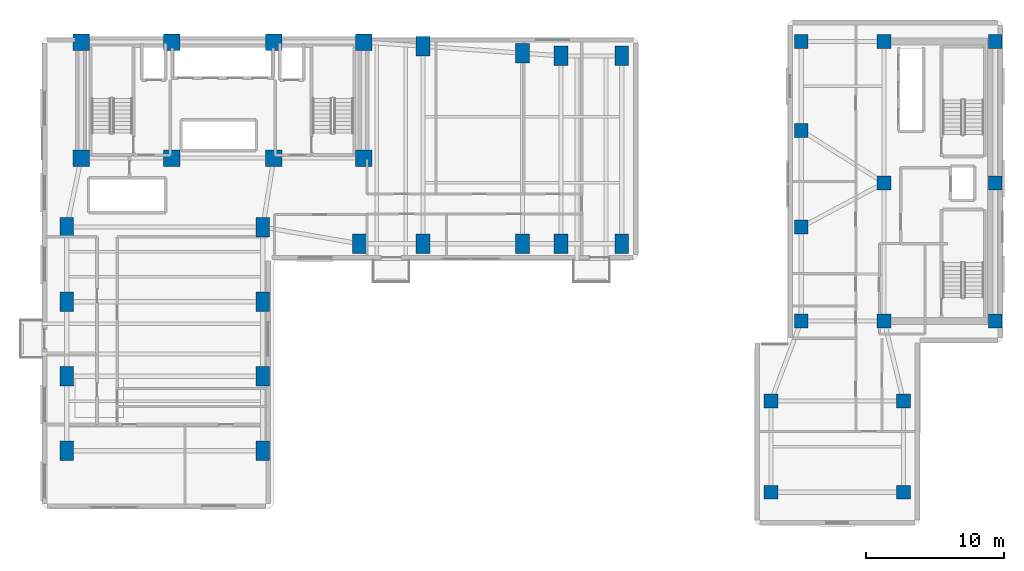
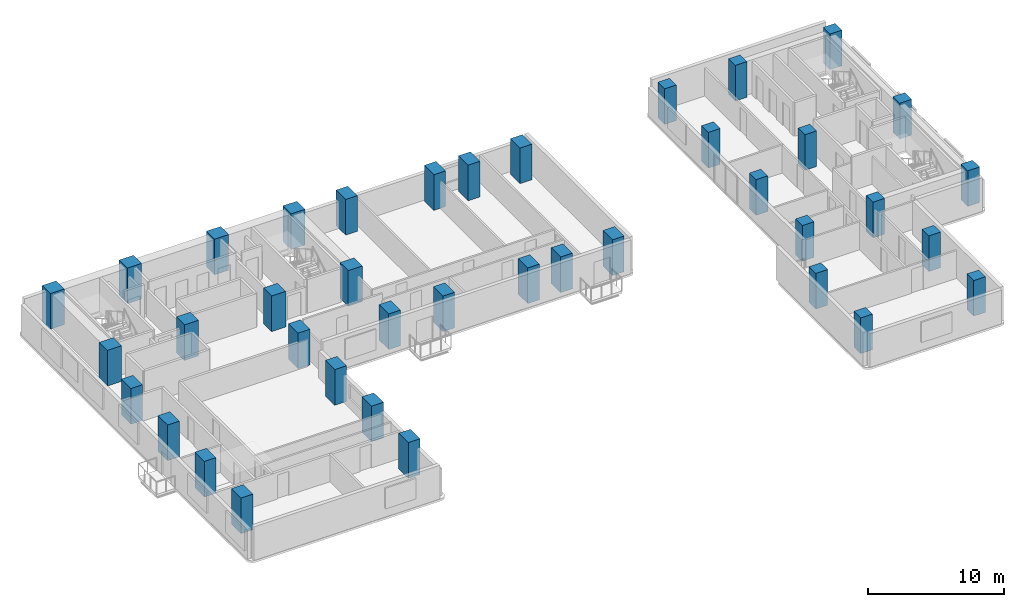
# One storey, part 1 of 17: 39 columns.
"""IFC4 building model written with IfcOpenShell, lengths in metres."""

import ifcopenshell
import ifcopenshell.guid

model = None  # the IFC model being written
_history = None  # IfcOwnerHistory: only IFC2X3 demands one
_inside = {}  # id of a spatial element -> (the spatial element, [elements in it])
_under = {}  # id of a project, library or spatial element -> (it, [spatial elements below it])
_declared = {}  # id of a project -> (the project, [libraries it declares])
_typed = {}  # id of a type object -> (the type object, [elements of that type])
_made_of = {}  # id of a material, layer set ... -> (it, [elements and type objects made of it])


def new_model(schema):
    """Start an empty IFC model of exactly this schema.

    Asked for "IFC4X3", IfcOpenShell would pick the latest addendum, in which some entities
    have other attributes; the version numbers below select the first issue.
    IFC2X3 requires an IfcOwnerHistory on every rooted entity: one is made here for all.
    """
    global model, _history
    if schema == "IFC4X3":
        model = ifcopenshell.file(schema_version=(4, 3, 0, 0))
    else:
        model = ifcopenshell.file(schema=schema)
    _inside.clear()
    _under.clear()
    _declared.clear()
    _typed.clear()
    _made_of.clear()
    _history = None
    if model.schema == "IFC2X3":
        org = make("IfcOrganization", Name="unknown")
        user = make(
            "IfcPersonAndOrganization",
            ThePerson=make("IfcPerson", FamilyName="unknown"),
            TheOrganization=org,
        )
        app = make(
            "IfcApplication",
            ApplicationDeveloper=org,
            Version="unknown",
            ApplicationFullName="unknown",
            ApplicationIdentifier="unknown",
        )
        _history = make(
            "IfcOwnerHistory",
            OwningUser=user,
            OwningApplication=app,
            ChangeAction="ADDED",
            CreationDate=0,
        )
    return model


def make(cls, **values):
    """One entity of the class cls with the attributes given. An attribute that is None is left unset."""
    return model.create_entity(
        cls, **{name: value for name, value in values.items() if value is not None}
    )


def rooted(cls, **values):
    """An entity with a GlobalId (a new one), such as an element, a storey or a relation."""
    return make(cls, GlobalId=ifcopenshell.guid.new(), OwnerHistory=_history, **values)


def si_unit(unit_type, name, prefix=None):
    """IfcSIUnit, for example si_unit("LENGTHUNIT", "METRE", prefix="MILLI")."""
    return make("IfcSIUnit", UnitType=unit_type, Prefix=prefix, Name=name)


def assignment(units):
    """IfcUnitAssignment: the units of a project."""
    return None if units is None else make("IfcUnitAssignment", Units=units)


def point(xyz):
    """IfcCartesianPoint."""
    return None if xyz is None else make("IfcCartesianPoint", Coordinates=xyz)


def direction(xyz):
    """IfcDirection."""
    return None if xyz is None else make("IfcDirection", DirectionRatios=xyz)


def frame(location, z_axis=None, x_axis=None):
    """IfcAxis2Placement3D, a coordinate frame: its origin and axes. An axis left out is left unset."""
    return make(
        "IfcAxis2Placement3D",
        Location=point(location),
        Axis=direction(z_axis),
        RefDirection=direction(x_axis),
    )


def frame_2d(location, x_axis=None):
    """IfcAxis2Placement2D, a coordinate frame in the plane: its origin and x axis."""
    return make(
        "IfcAxis2Placement2D", Location=point(location), RefDirection=direction(x_axis)
    )


def origin():
    """The frame at (0, 0, 0) with its axes left unset."""
    return frame((0.0, 0.0, 0.0))


def origin_2d():
    """The frame at (0, 0) in the plane with its x axis left unset."""
    return frame_2d((0.0, 0.0))


def place(relative_to, where):
    """IfcLocalPlacement: puts the frame where relative to a parent placement (None: the world)."""
    return make(
        "IfcLocalPlacement", PlacementRelTo=relative_to, RelativePlacement=where
    )


def context(
    kind, dimensions, precision=None, world=None, true_north=None, identifier=None
):
    """IfcGeometricRepresentationContext, for example the 3D "Model" context."""
    return make(
        "IfcGeometricRepresentationContext",
        ContextIdentifier=identifier,
        ContextType=kind,
        CoordinateSpaceDimension=dimensions,
        Precision=precision,
        WorldCoordinateSystem=world,
        TrueNorth=true_north,
    )


def subcontext(parent, identifier, kind, view, scale=None):
    """IfcGeometricRepresentationSubContext, for example "Body" below "Model"."""
    return make(
        "IfcGeometricRepresentationSubContext",
        ContextIdentifier=identifier,
        ContextType=kind,
        ParentContext=parent,
        TargetScale=scale,
        TargetView=view,
    )


def project(units=None, contexts=None):
    """IfcProject with its units and contexts."""
    return rooted(
        "IfcProject",
        Name="project",
        RepresentationContexts=contexts,
        UnitsInContext=assignment(units),
    )


def spatial(cls, under=None, at=None, **own):
    """A site, building, storey or space (cls), placed at a placement, below another one or the project."""
    s = rooted(cls, ObjectPlacement=at, **own)
    if under is not None:
        _under.setdefault(under.id(), (under, []))[1].append(s)
    return s


def profile(cls, at=None, kind="AREA", **sizes):
    """A parametric profile (cls). Its sizes go by their IFC names, for example OverallWidth=200.0."""
    return make(cls, ProfileType=kind, Position=at, **sizes)


def rectangle(**sizes):
    """IfcRectangleProfileDef."""
    return profile("IfcRectangleProfileDef", **sizes)


def extrude(swept, where, along, depth):
    """IfcExtrudedAreaSolid: the profile swept, set in the frame where, extruded along a direction by depth."""
    return make(
        "IfcExtrudedAreaSolid",
        SweptArea=swept,
        Position=where,
        ExtrudedDirection=direction(along),
        Depth=depth,
    )


def shape(context_of_items, identifier, shape_type, items):
    """IfcShapeRepresentation: the items that make up one representation, for example the "Body"."""
    return make(
        "IfcShapeRepresentation",
        ContextOfItems=context_of_items,
        RepresentationIdentifier=identifier,
        RepresentationType=shape_type,
        Items=items,
    )


def material(Name=None, Category=None):
    """IfcMaterial."""
    return make("IfcMaterial", Name=Name, Category=Category)


def material_profile(
    of_material, cross_section, Name=None, Category=None, Priority=None
):
    """IfcMaterialProfile: a cross section and its material."""
    return make(
        "IfcMaterialProfile",
        Name=Name,
        Material=of_material,
        Profile=cross_section,
        Priority=Priority,
        Category=Category,
    )


def profile_set(profiles, Name=None, composite=None):
    """IfcMaterialProfileSet."""
    return make(
        "IfcMaterialProfileSet",
        Name=Name,
        MaterialProfiles=profiles,
        CompositeProfile=composite,
    )


def made_of(thing, what):
    """Note that an element or type object is made of a material, layer set ...; save() writes the relation."""
    if what is not None:
        _made_of.setdefault(what.id(), (what, []))[1].append(thing)
    return thing


def type_object(cls, material=None, **own):
    """A type object (cls), such as IfcWallType, which elements share."""
    return made_of(rooted(cls, **own), material)


def element(
    cls,
    number,
    at=None,
    inside=None,
    cuts=None,
    type_object=None,
    material=None,
    context=None,
    identifier="Body",
    shape_type=None,
    held_by="IfcProductDefinitionShape",
    body=None,
    shapes=None,
    **own,
):
    """One element of the class cls, such as IfcWall. Its Tag is "e" and its number.

    at: its placement. inside: the storey or other place that contains it. cuts: it is an
    opening in that element (IfcRelVoidsElement). A single representation is given by context,
    identifier, shape_type and body (its items); several are given by shapes. held_by: the class
    of the entity that holds the representations. save() writes the other relations.
    """
    e = rooted(cls, Tag="e%d" % number, ObjectPlacement=at, **own)
    if body is not None:
        shapes = [shape(context, identifier, shape_type, body)]
    if shapes is not None:
        e.Representation = make(held_by, Representations=shapes)
    if inside is not None:
        _inside.setdefault(inside.id(), (inside, []))[1].append(e)
    if cuts is not None:
        rooted(
            "IfcRelVoidsElement", RelatingBuildingElement=cuts, RelatedOpeningElement=e
        )
    if type_object is not None:
        _typed.setdefault(type_object.id(), (type_object, []))[1].append(e)
    return made_of(e, material)


def aggregate(whole, parts):
    """IfcRelAggregates: a whole, such as a stair, and the parts it consists of."""
    return rooted("IfcRelAggregates", RelatingObject=whole, RelatedObjects=parts)


def save(model, path):
    """Write the relations noted so far, then the file.

    IfcRelAggregates (storeys below a building ...), IfcRelContainedInSpatialStructure (elements
    in a storey), IfcRelDefinesByType, IfcRelAssociatesMaterial and IfcRelDeclares: one each for
    every whole, place, type object, material and project.
    """
    for whole, parts in _under.values():
        aggregate(whole, parts)
    for where, things in _inside.values():
        rooted(
            "IfcRelContainedInSpatialStructure",
            RelatedElements=things,
            RelatingStructure=where,
        )
    for kind, things in _typed.values():
        rooted("IfcRelDefinesByType", RelatedObjects=things, RelatingType=kind)
    for what, things in _made_of.values():
        rooted("IfcRelAssociatesMaterial", RelatedObjects=things, RelatingMaterial=what)
    for by, libraries in _declared.values():
        rooted("IfcRelDeclares", RelatingContext=by, RelatedDefinitions=libraries)
    model.write(path)


model = new_model("IFC4")

# Units and contexts
model_context = context("Model", 3, precision=1e-05, world=origin(), true_north=direction((0.0, 1.0)))
body_context = subcontext(model_context, "Body", "Model", "MODEL_VIEW")
ifc_project = project(units=[si_unit("LENGTHUNIT", "METRE"), si_unit("AREAUNIT", "SQUARE_METRE"), si_unit("VOLUMEUNIT", "CUBIC_METRE"), si_unit("PLANEANGLEUNIT", "RADIAN"), si_unit("MASSUNIT", "GRAM", prefix="KILO")], contexts=[model_context])

# Site, building, storey
site_placement = place(None, origin())
site = spatial("IfcSite", under=ifc_project, at=site_placement, CompositionType="ELEMENT")
building_placement = place(site_placement, origin())
building = spatial("IfcBuilding", under=site, at=building_placement, Name="Kuzgunbayir Cultural Tower", CompositionType="ELEMENT")
storey_placement = place(building_placement, frame((0.0, 0.0, 46.800048828125)))
storey = spatial("IfcBuildingStorey", under=building, at=storey_placement, Name="L12", CompositionType="ELEMENT", Elevation=46.800048828125)

# Columns
ifc_material = material(Name="Concrete C60/75", Category="concrete")
ifc_material_profile_1 = material_profile(ifc_material, rectangle(XDim=1.199951171875, YDim=1.199951171875, at=origin_2d()), Name="RC 1200x1200")
ifc_profile_set_1 = profile_set([ifc_material_profile_1], Name="Concrete C60/75")
column_type_1 = type_object("IfcColumnType", Name="COL-CORE-1200", PredefinedType="COLUMN", material=ifc_profile_set_1)
for number, where, z_axis, x_axis, name in (
    (1, (6.449951171875, 33.800048828125, 0.0), (0.0, 0.0, 1.0), (1.0, 0.0, 0.0), "L12 T1 Core Boundary Column CC1-1"),
    (2, (13.0, 33.800048828125, 0.0), (0.0, 0.0, 1.0), (1.0, 0.0, 0.0), "L12 T1 Core Boundary Column CC1-2"),
    (3, (20.39990234375, 33.800048828125, 0.0), (0.0, 0.0, 1.0), (1.0, 0.0, 0.0), "L12 T1 Core Boundary Column CC1-3"),
    (4, (26.89990234375, 33.800048828125, 0.0), (0.0, 0.0, 1.0), (1.0, 0.0, 0.0), "L12 T1 Core Boundary Column CC1-4"),
    (5, (6.449951171875, 42.199951171875, 0.0), (0.0, 0.0, 1.0), (1.0, 0.0, 0.0), "L12 T1 Core Boundary Column CC1-5"),
    (6, (13.0, 42.199951171875, 0.0), (0.0, 0.0, 1.0), (1.0, 0.0, 0.0), "L12 T1 Core Boundary Column CC1-6"),
    (7, (20.39990234375, 42.199951171875, 0.0), (0.0, 0.0, 1.0), (1.0, 0.0, 0.0), "L12 T1 Core Boundary Column CC1-7"),
    (8, (26.89990234375, 42.199951171875, 0.0), (0.0, 0.0, 1.0), (1.0, 0.0, 0.0), "L12 T1 Core Boundary Column CC1-8"),
):
    element("IfcColumn", number, at=place(storey_placement, frame(where, z_axis=z_axis, x_axis=x_axis)), inside=storey, type_object=column_type_1, Name=name, PredefinedType="COLUMN", context=body_context, shape_type="SweptSolid", body=[
        extrude(rectangle(XDim=1.199951171875, YDim=1.199951171875, at=origin_2d()), origin(), (0.0, 0.0, 1.0), 3.199951171875),
    ])
ifc_material_profile_2 = material_profile(ifc_material, rectangle(XDim=1.0, YDim=1.39990234375, at=origin_2d()), Name="RC 1400x1000")
ifc_profile_set_2 = profile_set([ifc_material_profile_2], Name="Concrete C60/75")
column_type_2 = type_object("IfcColumnType", Name="COL-T1-1400x1000", PredefinedType="COLUMN", material=ifc_profile_set_2)
for number, where, z_axis, x_axis, name in (
    (9, (5.39990234375, 12.60009765625, 0.0), (0.0, 0.0, 1.0), (1.0, 0.0, 0.0), "L12 Tower 1 Wing A Column T1A-W-1"),
    (10, (19.60009765625, 12.60009765625, 0.0), (0.0, 0.0, 1.0), (1.0, 0.0, 0.0), "L12 Tower 1 Wing A Column T1A-E-1"),
    (11, (5.39990234375, 18.0, 0.0), (0.0, 0.0, 1.0), (1.0, 0.0, 0.0), "L12 Tower 1 Wing A Column T1A-W-2"),
    (12, (19.60009765625, 18.0, 0.0), (0.0, 0.0, 1.0), (1.0, 0.0, 0.0), "L12 Tower 1 Wing A Column T1A-E-2"),
    (13, (5.39990234375, 23.39990234375, 0.0), (0.0, 0.0, 1.0), (1.0, 0.0, 0.0), "L12 Tower 1 Wing A Column T1A-W-3"),
    (14, (19.60009765625, 23.39990234375, 0.0), (0.0, 0.0, 1.0), (1.0, 0.0, 0.0), "L12 Tower 1 Wing A Column T1A-E-3"),
    (15, (5.39990234375, 28.800048828125, 0.0), (0.0, 0.0, 1.0), (1.0, 0.0, 0.0), "L12 Tower 1 Wing A Column T1A-W-4"),
    (16, (19.60009765625, 28.800048828125, 0.0), (0.0, 0.0, 1.0), (1.0, 0.0, 0.0), "L12 Tower 1 Wing A Column T1A-E-4"),
    (17, (26.60009765625, 27.60009765625, 0.0), (0.0, 0.0, 1.0), (1.0, 0.0, 0.0), "L12 Tower 1 Wing B Column T1B-1-1"),
    (18, (31.199951171875, 27.60009765625, 0.0), (0.0, 0.0, 1.0), (1.0, 0.0, 0.0), "L12 Tower 1 Wing B Column T1B-2-1"),
    (19, (31.199951171875, 41.89990234375, 0.0), (0.0, 0.0, 1.0), (1.0, 0.0, 0.0), "L12 Tower 1 Wing B Column T1B-2-2"),
    (20, (38.39990234375, 27.60009765625, 0.0), (0.0, 0.0, 1.0), (1.0, 0.0, 0.0), "L12 Tower 1 Wing B Column T1B-3-1"),
    (21, (38.39990234375, 41.39990234375, 0.0), (0.0, 0.0, 1.0), (1.0, 0.0, 0.0), "L12 Tower 1 Wing B Column T1B-3-2"),
    (22, (41.199951171875, 27.60009765625, 0.0), (0.0, 0.0, 1.0), (1.0, 0.0, 0.0), "L12 Tower 1 Wing B Column T1B-4-1"),
    (23, (41.199951171875, 41.199951171875, 0.0), (0.0, 0.0, 1.0), (1.0, 0.0, 0.0), "L12 Tower 1 Wing B Column T1B-4-2"),
    (24, (45.60009765625, 27.60009765625, 0.0), (0.0, 0.0, 1.0), (1.0, 0.0, 0.0), "L12 Tower 1 Wing B Column T1B-5-1"),
    (25, (45.60009765625, 41.199951171875, 0.0), (0.0, 0.0, 1.0), (1.0, 0.0, 0.0), "L12 Tower 1 Wing B Column T1B-5-2"),
):
    element("IfcColumn", number, at=place(storey_placement, frame(where, z_axis=z_axis, x_axis=x_axis)), inside=storey, type_object=column_type_2, Name=name, PredefinedType="COLUMN", context=body_context, shape_type="SweptSolid", body=[
        extrude(rectangle(XDim=1.0, YDim=1.39990234375, at=origin_2d()), origin(), (0.0, 0.0, 1.0), 3.199951171875),
    ])
ifc_material_profile_3 = material_profile(ifc_material, rectangle(XDim=1.0, YDim=1.0, at=origin_2d()), Name="RC 1000x1000")
ifc_profile_set_3 = profile_set([ifc_material_profile_3], Name="Concrete C60/75")
column_type_3 = type_object("IfcColumnType", Name="COL-T2-1000", PredefinedType="COLUMN", material=ifc_profile_set_3)
for number, where, z_axis, x_axis, name in (
    (26, (64.60009765625, 22.0, 0.0), (0.0, 0.0, 1.0), (1.0, 0.0, 0.0), "L12 T2 Core Boundary Column CC2-1"),
    (27, (72.64990234375, 22.0, 0.0), (0.0, 0.0, 1.0), (1.0, 0.0, 0.0), "L12 T2 Core Boundary Column CC2-2"),
    (28, (64.60009765625, 32.0, 0.0), (0.0, 0.0, 1.0), (1.0, 0.0, 0.0), "L12 T2 Core Boundary Column CC2-3"),
    (29, (72.64990234375, 32.0, 0.0), (0.0, 0.0, 1.0), (1.0, 0.0, 0.0), "L12 T2 Core Boundary Column CC2-4"),
    (30, (64.60009765625, 42.25, 0.0), (0.0, 0.0, 1.0), (1.0, 0.0, 0.0), "L12 T2 Core Boundary Column CC2-5"),
    (31, (72.64990234375, 42.25, 0.0), (0.0, 0.0, 1.0), (1.0, 0.0, 0.0), "L12 T2 Core Boundary Column CC2-6"),
):
    element("IfcColumn", number, at=place(storey_placement, frame(where, z_axis=z_axis, x_axis=x_axis)), inside=storey, type_object=column_type_3, Name=name, PredefinedType="COLUMN", context=body_context, shape_type="SweptSolid", body=[
        extrude(rectangle(XDim=1.0, YDim=1.0, at=origin_2d()), origin(), (0.0, 0.0, 1.0), 3.199951171875),
    ])
ifc_material_profile_4 = material_profile(ifc_material, rectangle(XDim=1.0, YDim=1.0, at=origin_2d()), Name="RC 1000x1000")
ifc_profile_set_4 = profile_set([ifc_material_profile_4], Name="Concrete C60/75")
column_type_4 = type_object("IfcColumnType", Name="COL-T2-1000-EXT", PredefinedType="COLUMN", material=ifc_profile_set_4)
for number, where, z_axis, x_axis, name in (
    (32, (58.60009765625, 22.0, 0.0), (0.0, 0.0, 1.0), (1.0, 0.0, 0.0), "L12 Companion Wing A Column T2A-W-1"),
    (33, (58.60009765625, 28.800048828125, 0.0), (0.0, 0.0, 1.0), (1.0, 0.0, 0.0), "L12 Companion Wing A Column T2A-W-2"),
    (34, (58.60009765625, 35.800048828125, 0.0), (0.0, 0.0, 1.0), (1.0, 0.0, 0.0), "L12 Companion Wing A Column T2A-W-3"),
    (35, (58.60009765625, 42.25, 0.0), (0.0, 0.0, 1.0), (1.0, 0.0, 0.0), "L12 Companion Wing A Column T2A-W-4"),
    (36, (56.39990234375, 9.60009765625, 0.0), (0.0, 0.0, 1.0), (1.0, 0.0, 0.0), "L12 Companion Wing B Column T2B-1-1"),
    (37, (56.39990234375, 16.199951171875, 0.0), (0.0, 0.0, 1.0), (1.0, 0.0, 0.0), "L12 Companion Wing B Column T2B-1-2"),
    (38, (66.0, 9.60009765625, 0.0), (0.0, 0.0, 1.0), (1.0, 0.0, 0.0), "L12 Companion Wing B Column T2B-2-1"),
    (39, (66.0, 16.199951171875, 0.0), (0.0, 0.0, 1.0), (1.0, 0.0, 0.0), "L12 Companion Wing B Column T2B-2-2"),
):
    element("IfcColumn", number, at=place(storey_placement, frame(where, z_axis=z_axis, x_axis=x_axis)), inside=storey, type_object=column_type_4, Name=name, PredefinedType="COLUMN", context=body_context, shape_type="SweptSolid", body=[
        extrude(rectangle(XDim=1.0, YDim=1.0, at=origin_2d()), origin(), (0.0, 0.0, 1.0), 3.199951171875),
    ])

save(model, "model.ifc")
